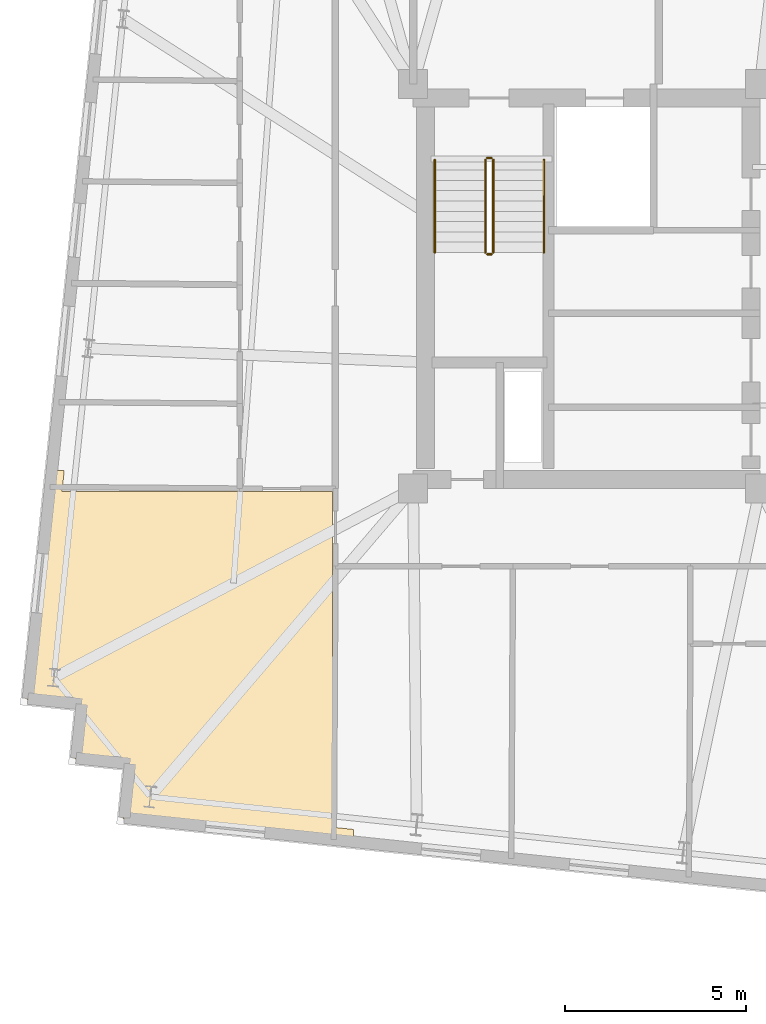
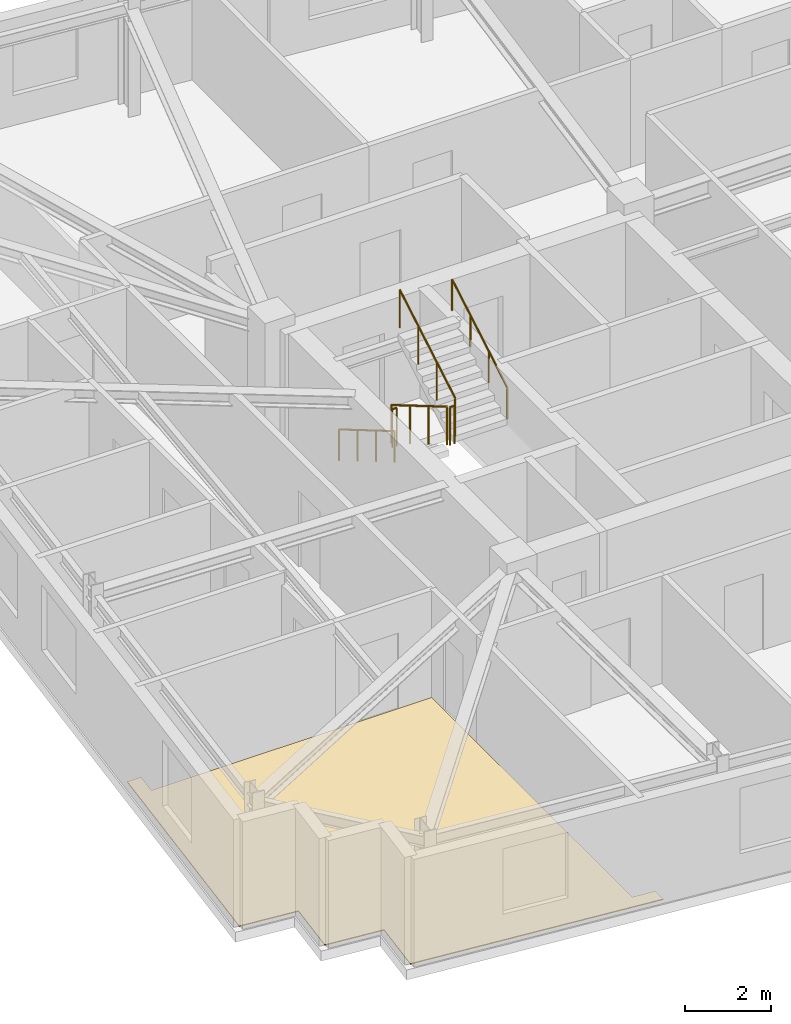
# One storey, part 11 of 13: 6 railings, 1 covering.
"""IFC4 building model written with IfcOpenShell, lengths in metres."""

import ifcopenshell
import ifcopenshell.guid

model = None  # the IFC model being written
_history = None  # IfcOwnerHistory: only IFC2X3 demands one
_inside = {}  # id of a spatial element -> (the spatial element, [elements in it])
_under = {}  # id of a project, library or spatial element -> (it, [spatial elements below it])
_declared = {}  # id of a project -> (the project, [libraries it declares])
_typed = {}  # id of a type object -> (the type object, [elements of that type])
_made_of = {}  # id of a material, layer set ... -> (it, [elements and type objects made of it])


def new_model(schema):
    """Start an empty IFC model of exactly this schema.

    Asked for "IFC4X3", IfcOpenShell would pick the latest addendum, in which some entities
    have other attributes; the version numbers below select the first issue.
    IFC2X3 requires an IfcOwnerHistory on every rooted entity: one is made here for all.
    """
    global model, _history
    if schema == "IFC4X3":
        model = ifcopenshell.file(schema_version=(4, 3, 0, 0))
    else:
        model = ifcopenshell.file(schema=schema)
    _inside.clear()
    _under.clear()
    _declared.clear()
    _typed.clear()
    _made_of.clear()
    _history = None
    if model.schema == "IFC2X3":
        org = make("IfcOrganization", Name="unknown")
        user = make(
            "IfcPersonAndOrganization",
            ThePerson=make("IfcPerson", FamilyName="unknown"),
            TheOrganization=org,
        )
        app = make(
            "IfcApplication",
            ApplicationDeveloper=org,
            Version="unknown",
            ApplicationFullName="unknown",
            ApplicationIdentifier="unknown",
        )
        _history = make(
            "IfcOwnerHistory",
            OwningUser=user,
            OwningApplication=app,
            ChangeAction="ADDED",
            CreationDate=0,
        )
    return model


def make(cls, **values):
    """One entity of the class cls with the attributes given. An attribute that is None is left unset."""
    return model.create_entity(
        cls, **{name: value for name, value in values.items() if value is not None}
    )


def rooted(cls, **values):
    """An entity with a GlobalId (a new one), such as an element, a storey or a relation."""
    return make(cls, GlobalId=ifcopenshell.guid.new(), OwnerHistory=_history, **values)


def si_unit(unit_type, name, prefix=None):
    """IfcSIUnit, for example si_unit("LENGTHUNIT", "METRE", prefix="MILLI")."""
    return make("IfcSIUnit", UnitType=unit_type, Prefix=prefix, Name=name)


def assignment(units):
    """IfcUnitAssignment: the units of a project."""
    return None if units is None else make("IfcUnitAssignment", Units=units)


def point(xyz):
    """IfcCartesianPoint."""
    return None if xyz is None else make("IfcCartesianPoint", Coordinates=xyz)


def direction(xyz):
    """IfcDirection."""
    return None if xyz is None else make("IfcDirection", DirectionRatios=xyz)


def frame(location, z_axis=None, x_axis=None):
    """IfcAxis2Placement3D, a coordinate frame: its origin and axes. An axis left out is left unset."""
    return make(
        "IfcAxis2Placement3D",
        Location=point(location),
        Axis=direction(z_axis),
        RefDirection=direction(x_axis),
    )


def frame_2d(location, x_axis=None):
    """IfcAxis2Placement2D, a coordinate frame in the plane: its origin and x axis."""
    return make(
        "IfcAxis2Placement2D", Location=point(location), RefDirection=direction(x_axis)
    )


def origin():
    """The frame at (0, 0, 0) with its axes left unset."""
    return frame((0.0, 0.0, 0.0))


def origin_2d():
    """The frame at (0, 0) in the plane with its x axis left unset."""
    return frame_2d((0.0, 0.0))


def place(relative_to, where):
    """IfcLocalPlacement: puts the frame where relative to a parent placement (None: the world)."""
    return make(
        "IfcLocalPlacement", PlacementRelTo=relative_to, RelativePlacement=where
    )


def context(
    kind, dimensions, precision=None, world=None, true_north=None, identifier=None
):
    """IfcGeometricRepresentationContext, for example the 3D "Model" context."""
    return make(
        "IfcGeometricRepresentationContext",
        ContextIdentifier=identifier,
        ContextType=kind,
        CoordinateSpaceDimension=dimensions,
        Precision=precision,
        WorldCoordinateSystem=world,
        TrueNorth=true_north,
    )


def subcontext(parent, identifier, kind, view, scale=None):
    """IfcGeometricRepresentationSubContext, for example "Body" below "Model"."""
    return make(
        "IfcGeometricRepresentationSubContext",
        ContextIdentifier=identifier,
        ContextType=kind,
        ParentContext=parent,
        TargetScale=scale,
        TargetView=view,
    )


def project(units=None, contexts=None):
    """IfcProject with its units and contexts."""
    return rooted(
        "IfcProject",
        Name="project",
        RepresentationContexts=contexts,
        UnitsInContext=assignment(units),
    )


def spatial(cls, under=None, at=None, **own):
    """A site, building, storey or space (cls), placed at a placement, below another one or the project."""
    s = rooted(cls, ObjectPlacement=at, **own)
    if under is not None:
        _under.setdefault(under.id(), (under, []))[1].append(s)
    return s


def polyline(points):
    """IfcPolyline through the points."""
    return make("IfcPolyline", Points=[point(p) for p in points])


def profile(cls, at=None, kind="AREA", **sizes):
    """A parametric profile (cls). Its sizes go by their IFC names, for example OverallWidth=200.0."""
    return make(cls, ProfileType=kind, Position=at, **sizes)


def circle(**sizes):
    """IfcCircleProfileDef."""
    return profile("IfcCircleProfileDef", **sizes)


def outline(outer, holes=None, kind="AREA"):
    """IfcArbitraryClosedProfileDef: a profile drawn as a closed curve; with holes, ...WithVoids."""
    if holes is None:
        return make("IfcArbitraryClosedProfileDef", ProfileType=kind, OuterCurve=outer)
    return make(
        "IfcArbitraryProfileDefWithVoids",
        ProfileType=kind,
        OuterCurve=outer,
        InnerCurves=holes,
    )


def extrude(swept, where, along, depth):
    """IfcExtrudedAreaSolid: the profile swept, set in the frame where, extruded along a direction by depth."""
    return make(
        "IfcExtrudedAreaSolid",
        SweptArea=swept,
        Position=where,
        ExtrudedDirection=direction(along),
        Depth=depth,
    )


def shape(context_of_items, identifier, shape_type, items):
    """IfcShapeRepresentation: the items that make up one representation, for example the "Body"."""
    return make(
        "IfcShapeRepresentation",
        ContextOfItems=context_of_items,
        RepresentationIdentifier=identifier,
        RepresentationType=shape_type,
        Items=items,
    )


def material(Name=None, Category=None):
    """IfcMaterial."""
    return make("IfcMaterial", Name=Name, Category=Category)


def layer(
    of_material, thickness, ventilated=None, Name=None, Category=None, Priority=None
):
    """IfcMaterialLayer: one layer of a wall or slab, of a material (None: an air gap)."""
    return make(
        "IfcMaterialLayer",
        Material=of_material,
        LayerThickness=thickness,
        IsVentilated=ventilated,
        Name=Name,
        Category=Category,
        Priority=Priority,
    )


def layer_set(layers, Name=None):
    """IfcMaterialLayerSet."""
    return make("IfcMaterialLayerSet", MaterialLayers=layers, LayerSetName=Name)


def made_of(thing, what):
    """Note that an element or type object is made of a material, layer set ...; save() writes the relation."""
    if what is not None:
        _made_of.setdefault(what.id(), (what, []))[1].append(thing)
    return thing


def type_object(cls, material=None, **own):
    """A type object (cls), such as IfcWallType, which elements share."""
    return made_of(rooted(cls, **own), material)


def element(
    cls,
    number,
    at=None,
    inside=None,
    cuts=None,
    type_object=None,
    material=None,
    context=None,
    identifier="Body",
    shape_type=None,
    held_by="IfcProductDefinitionShape",
    body=None,
    shapes=None,
    **own,
):
    """One element of the class cls, such as IfcWall. Its Tag is "e" and its number.

    at: its placement. inside: the storey or other place that contains it. cuts: it is an
    opening in that element (IfcRelVoidsElement). A single representation is given by context,
    identifier, shape_type and body (its items); several are given by shapes. held_by: the class
    of the entity that holds the representations. save() writes the other relations.
    """
    e = rooted(cls, Tag="e%d" % number, ObjectPlacement=at, **own)
    if body is not None:
        shapes = [shape(context, identifier, shape_type, body)]
    if shapes is not None:
        e.Representation = make(held_by, Representations=shapes)
    if inside is not None:
        _inside.setdefault(inside.id(), (inside, []))[1].append(e)
    if cuts is not None:
        rooted(
            "IfcRelVoidsElement", RelatingBuildingElement=cuts, RelatedOpeningElement=e
        )
    if type_object is not None:
        _typed.setdefault(type_object.id(), (type_object, []))[1].append(e)
    return made_of(e, material)


def aggregate(whole, parts):
    """IfcRelAggregates: a whole, such as a stair, and the parts it consists of."""
    return rooted("IfcRelAggregates", RelatingObject=whole, RelatedObjects=parts)


def save(model, path):
    """Write the relations noted so far, then the file.

    IfcRelAggregates (storeys below a building ...), IfcRelContainedInSpatialStructure (elements
    in a storey), IfcRelDefinesByType, IfcRelAssociatesMaterial and IfcRelDeclares: one each for
    every whole, place, type object, material and project.
    """
    for whole, parts in _under.values():
        aggregate(whole, parts)
    for where, things in _inside.values():
        rooted(
            "IfcRelContainedInSpatialStructure",
            RelatedElements=things,
            RelatingStructure=where,
        )
    for kind, things in _typed.values():
        rooted("IfcRelDefinesByType", RelatedObjects=things, RelatingType=kind)
    for what, things in _made_of.values():
        rooted("IfcRelAssociatesMaterial", RelatedObjects=things, RelatingMaterial=what)
    for by, libraries in _declared.values():
        rooted("IfcRelDeclares", RelatingContext=by, RelatedDefinitions=libraries)
    model.write(path)


model = new_model("IFC4")

# Units and contexts
model_context = context("Model", 3, precision=1e-05, world=origin(), true_north=direction((0.0, 1.0)))
body_context = subcontext(model_context, "Body", "Model", "MODEL_VIEW")
ifc_project = project(units=[si_unit("LENGTHUNIT", "METRE"), si_unit("AREAUNIT", "SQUARE_METRE"), si_unit("VOLUMEUNIT", "CUBIC_METRE"), si_unit("PLANEANGLEUNIT", "RADIAN"), si_unit("MASSUNIT", "GRAM", prefix="KILO")], contexts=[model_context])

# Site, building, storey
site_placement = place(None, origin())
site = spatial("IfcSite", under=ifc_project, at=site_placement, CompositionType="ELEMENT")
building_placement = place(site_placement, origin())
building = spatial("IfcBuilding", under=site, at=building_placement, Name="Qobustan Lattice House", CompositionType="ELEMENT")
storey_placement = place(building_placement, frame((0.0, 0.0, 179.64990234375)))
storey = spatial("IfcBuildingStorey", under=building, at=storey_placement, Name="L50", CompositionType="ELEMENT", Elevation=179.64990234375)

# Covering
ifc_material_1 = material(Name="Honed Absheron stone terrazzo flooring", Category="masonry")
ifc_layer = layer(ifc_material_1, 0.02490234375)
ifc_layer_set = layer_set([ifc_layer], Name="Honed Absheron stone terrazzo flooring")
covering_type = type_object("IfcCoveringType", Name="COV-TERRAZZO-FLR", PredefinedType="FLOORING", material=ifc_layer_set)
covering_placement = place(storey_placement, origin())
element("IfcCovering", 1, at=covering_placement, inside=storey, type_object=covering_type, Name="L50 Reading study room L50WS stone terrazzo flooring", PredefinedType="FLOORING", context=body_context, shape_type="SweptSolid", body=[
    extrude(outline(polyline([(-26.826416015625, -14.73779296875), (-20.449951171875, -15.407958984375), (-20.449951171875, -15.035888671875), (-21.030029296875, -14.974853515625), (-21.030029296875, -5.679931640625), (-28.518798828125, -5.679931640625), (-28.457763671875, -5.10009765625), (-28.829833984375, -5.10009765625), (-29.496337890625, -11.4404296875), (-28.004638671875, -11.597412109375), (-28.161376953125, -13.089111328125), (-26.669677734375, -13.245849609375), (-26.826416015625, -14.73779296875)])), origin(), (0.0, 0.0, 1.0), 0.025146484375),
])

# Railings
ifc_material_2 = material(Name="Brushed stainless steel handrail", Category="steel")
railing_type_1 = type_object("IfcRailingType", Name="RAL-HR-920", PredefinedType="HANDRAIL", material=ifc_material_2)
railing_1_placement = place(storey_placement, frame((-18.199951171875, 3.5, 0.16748046875)))
element("IfcRailing", 2, at=railing_1_placement, inside=storey, type_object=railing_type_1, Name="L50 ST-W1 stair handrail 1", PredefinedType="HANDRAIL", context=body_context, shape_type="SweptSolid", body=[
    extrude(circle(Radius=0.02392578125, at=origin_2d()), frame((0.0, 0.0, 0.8759765625), z_axis=(0.0, -0.862113467892, 0.50671527358), x_axis=(1.0, 0.0, 0.0)), (0.0, 0.0, 1.0), 2.97509765625),
    extrude(circle(Radius=0.02099609375, at=origin_2d()), origin(), (0.0, 0.0, 1.0), 0.851806640625),
    extrude(circle(Radius=0.02099609375, at=origin_2d()), frame((0.0, -0.85498046875, 0.50244140625)), (0.0, 0.0, 1.0), 0.851806640625),
    extrude(circle(Radius=0.02099609375, at=origin_2d()), frame((0.0, -1.7099609375, 1.005126953125)), (0.0, 0.0, 1.0), 0.851806640625),
    extrude(circle(Radius=0.02099609375, at=origin_2d()), frame((0.0, -2.56494140625, 1.507568359375)), (0.0, 0.0, 1.0), 0.851806640625),
])
railing_2_placement = place(storey_placement, frame((-15.179931640625, 0.93505859375, 1.842529296875)))
element("IfcRailing", 3, at=railing_2_placement, inside=storey, type_object=railing_type_1, Name="L50 ST-W1 stair handrail 2", PredefinedType="HANDRAIL", context=body_context, shape_type="SweptSolid", body=[
    extrude(circle(Radius=0.02392578125, at=origin_2d()), frame((0.0, 0.0, 0.8759765625), z_axis=(0.0, 0.862113467892, 0.50671527358), x_axis=(-1.0, 0.0, 0.0)), (0.0, 0.0, 1.0), 2.97509765625),
    extrude(circle(Radius=0.02099609375, at=origin_2d()), origin(), (0.0, 0.0, 1.0), 0.851806640625),
    extrude(circle(Radius=0.02099609375, at=origin_2d()), frame((0.0, 0.85498046875, 0.50244140625)), (0.0, 0.0, 1.0), 0.851806640625),
    extrude(circle(Radius=0.02099609375, at=origin_2d()), frame((0.0, 1.7099609375, 1.005126953125)), (0.0, 0.0, 1.0), 0.851806640625),
    extrude(circle(Radius=0.02099609375, at=origin_2d()), frame((0.0, 2.56494140625, 1.507568359375)), (0.0, 0.0, 1.0), 0.851806640625),
])
ifc_material_3 = material(Name="Painted galvanized steel guardrail", Category="steel")
railing_type_2 = type_object("IfcRailingType", Name="RAL-STG-1150", PredefinedType="GUARDRAIL", material=ifc_material_3)
railing_3_placement = place(storey_placement, frame((-16.800048828125, 3.5, 0.16748046875)))
element("IfcRailing", 4, at=railing_3_placement, inside=storey, type_object=railing_type_2, Name="L50 ST-W1 stair guard 1", PredefinedType="GUARDRAIL", context=body_context, shape_type="SweptSolid", body=[
    extrude(circle(Radius=0.02392578125, at=origin_2d()), frame((0.0, 0.0, 1.076171875), z_axis=(0.0, -0.862113467892, 0.50671527358), x_axis=(1.0, 0.0, 0.0)), (0.0, 0.0, 1.0), 2.97509765625),
    extrude(circle(Radius=0.02099609375, at=origin_2d()), origin(), (0.0, 0.0, 1.0), 1.052001953125),
    extrude(circle(Radius=0.02099609375, at=origin_2d()), frame((0.0, -0.85498046875, 0.50244140625)), (0.0, 0.0, 1.0), 1.052001953125),
    extrude(circle(Radius=0.02099609375, at=origin_2d()), frame((0.0, -1.7099609375, 1.005126953125)), (0.0, 0.0, 1.0), 1.052001953125),
    extrude(circle(Radius=0.02099609375, at=origin_2d()), frame((0.0, -2.56494140625, 1.507568359375)), (0.0, 0.0, 1.0), 1.052001953125),
])
railing_4_placement = place(storey_placement, frame((-16.75, 0.885009765625, 1.675048828125)))
element("IfcRailing", 5, at=railing_4_placement, inside=storey, type_object=railing_type_2, Name="L50 ST-W1 stair guard 2", PredefinedType="GUARDRAIL", context=body_context, shape_type="SweptSolid", body=[
    extrude(circle(Radius=0.02392578125, at=origin_2d()), frame((0.0, 0.0, 1.076171875), z_axis=(1.0, 0.0, 0.0), x_axis=(0.0, 1.0, 0.0)), (0.0, 0.0, 1.0), 0.1201171875),
    extrude(circle(Radius=0.02099609375, at=origin_2d()), origin(), (0.0, 0.0, 1.0), 1.052001953125),
    extrude(circle(Radius=0.02099609375, at=origin_2d()), frame((0.1201171875, 0.0, 0.0)), (0.0, 0.0, 1.0), 1.052001953125),
])
railing_5_placement = place(storey_placement, frame((-16.580078125, 0.93505859375, 1.842529296875)))
element("IfcRailing", 6, at=railing_5_placement, inside=storey, type_object=railing_type_2, Name="L50 ST-W1 stair guard 3", PredefinedType="GUARDRAIL", context=body_context, shape_type="SweptSolid", body=[
    extrude(circle(Radius=0.02392578125, at=origin_2d()), frame((0.0, 0.0, 1.076171875), z_axis=(0.0, 0.862113467892, 0.50671527358), x_axis=(-1.0, 0.0, 0.0)), (0.0, 0.0, 1.0), 2.97509765625),
    extrude(circle(Radius=0.02099609375, at=origin_2d()), origin(), (0.0, 0.0, 1.0), 1.052001953125),
    extrude(circle(Radius=0.02099609375, at=origin_2d()), frame((0.0, 0.85498046875, 0.50244140625)), (0.0, 0.0, 1.0), 1.052001953125),
    extrude(circle(Radius=0.02099609375, at=origin_2d()), frame((0.0, 1.7099609375, 1.005126953125)), (0.0, 0.0, 1.0), 1.052001953125),
    extrude(circle(Radius=0.02099609375, at=origin_2d()), frame((0.0, 2.56494140625, 1.507568359375)), (0.0, 0.0, 1.0), 1.052001953125),
])
railing_6_placement = place(storey_placement, frame((-16.75, 3.550048828125, 0.0)))
element("IfcRailing", 7, at=railing_6_placement, inside=storey, type_object=railing_type_2, Name="L50 ST-W1 stair guard 4", PredefinedType="GUARDRAIL", context=body_context, shape_type="SweptSolid", body=[
    extrude(circle(Radius=0.02392578125, at=origin_2d()), frame((0.0, 0.0, 1.076171875), z_axis=(1.0, 0.0, 0.0), x_axis=(0.0, 1.0, 0.0)), (0.0, 0.0, 1.0), 0.1201171875),
    extrude(circle(Radius=0.02099609375, at=origin_2d()), origin(), (0.0, 0.0, 1.0), 1.052001953125),
    extrude(circle(Radius=0.02099609375, at=origin_2d()), frame((0.1201171875, 0.0, 0.0)), (0.0, 0.0, 1.0), 1.052001953125),
])

save(model, "model.ifc")
